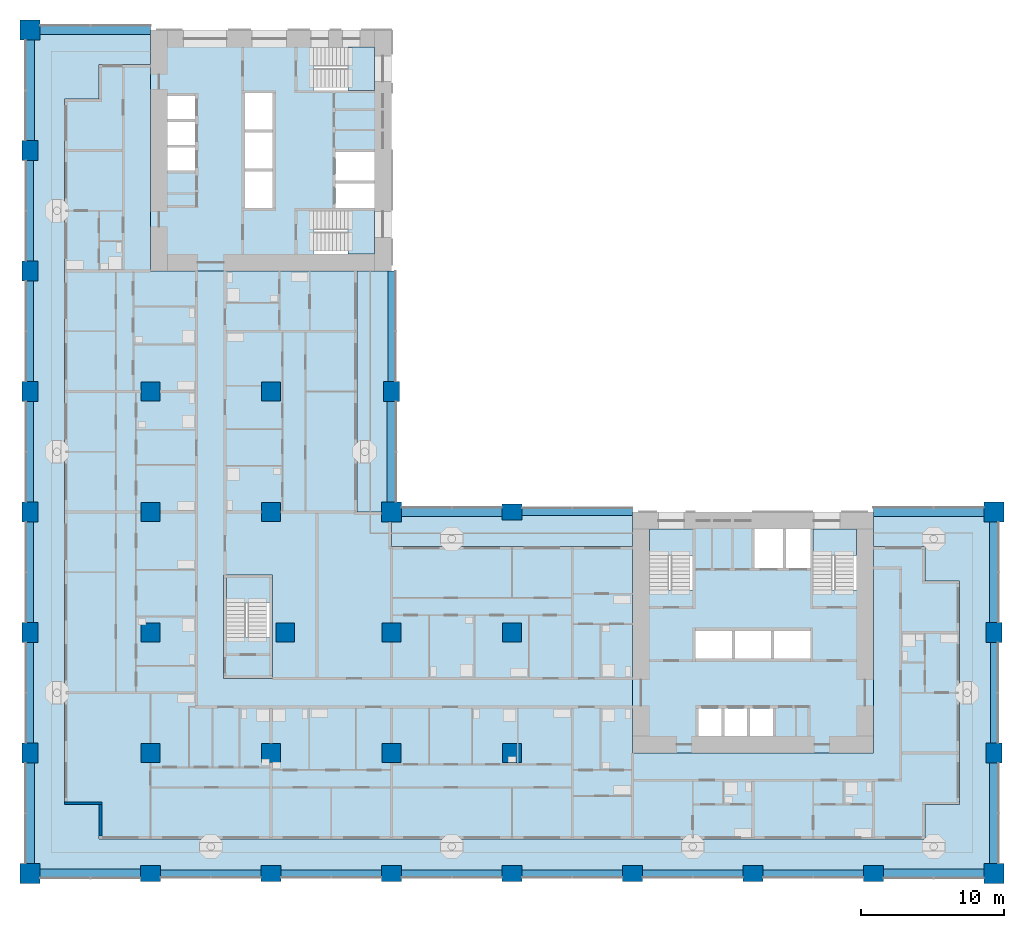
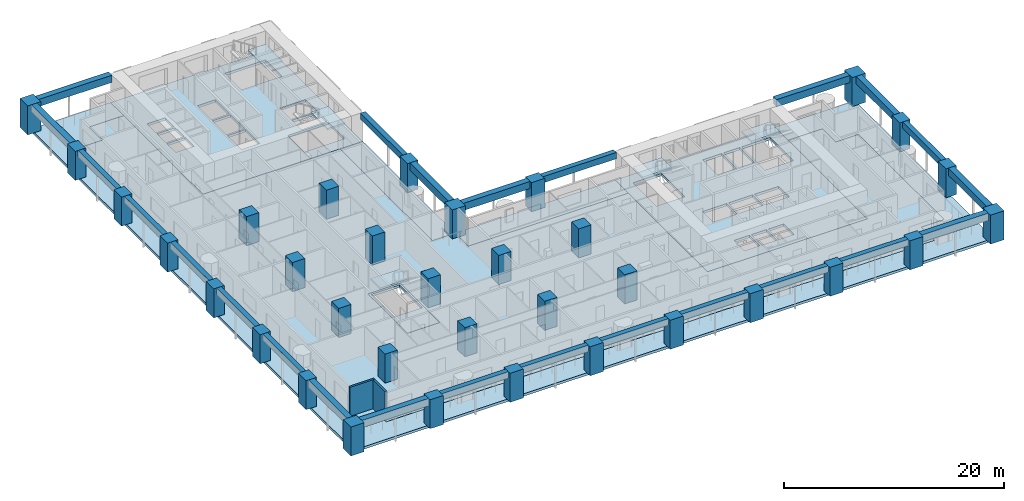
# One storey, part 1 of 22: 34 columns, 24 beams, 12 slabs, 2 walls, 5 elements without a shape of their own.
"""IFC4 building model written with IfcOpenShell, lengths in metres."""

from ifc_helpers import new_model, si_unit, direction, frame, frame_2d, origin, origin_2d, place, context, subcontext, project, spatial, polyline, rectangle, outline, extrude, material, layer, layer_set, material_profile, profile_set, type_object, element, aggregate, save


model = new_model("IFC4")

# Units and contexts
model_context = context("Model", 3, precision=1e-05, world=origin(), true_north=direction((0.0, 1.0)))
body_context = subcontext(model_context, "Body", "Model", "MODEL_VIEW")
ifc_project = project(units=[si_unit("LENGTHUNIT", "METRE"), si_unit("AREAUNIT", "SQUARE_METRE"), si_unit("VOLUMEUNIT", "CUBIC_METRE"), si_unit("PLANEANGLEUNIT", "RADIAN"), si_unit("MASSUNIT", "GRAM", prefix="KILO")], contexts=[model_context])

# Site, building, storey
site_placement = place(None, origin())
site = spatial("IfcSite", under=ifc_project, at=site_placement, CompositionType="ELEMENT")
building_placement = place(site_placement, origin())
building = spatial("IfcBuilding", under=site, at=building_placement, Name="Vermilion Gate Residences", CompositionType="ELEMENT")
storey_placement = place(building_placement, frame((0.0, 0.0, 63.699951171875)))
storey = spatial("IfcBuildingStorey", under=building, at=storey_placement, Name="L15", CompositionType="ELEMENT", Elevation=63.699951171875)

# Columns
ifc_material_1 = material(Name="Concrete C80", Category="concrete")
ifc_material_profile_1 = material_profile(ifc_material_1, rectangle(XDim=1.300048828125, YDim=1.300048828125, at=origin_2d()), Name="RC-1300x1300")
ifc_profile_set_1 = profile_set([ifc_material_profile_1], Name="Concrete C80")
column_type_1 = type_object("IfcColumnType", Name="RC COLUMN 1300 X 1300 C80", PredefinedType="COLUMN", material=ifc_profile_set_1)
for number, where, z_axis, x_axis, name in (
    (1, (8.39990234375, 8.39990234375, 0.0), (0.0, 0.0, 1.0), (1.0, 0.0, 0.0), "Column 2-B L15"),
    (2, (8.39990234375, 16.800048828125, 0.0), (0.0, 0.0, 1.0), (1.0, 0.0, 0.0), "Column 2-C L15"),
    (3, (8.39990234375, 25.199951171875, 0.0), (0.0, 0.0, 1.0), (1.0, 0.0, 0.0), "Column 2-D L15"),
    (4, (8.39990234375, 33.60009765625, 0.0), (0.0, 0.0, 1.0), (1.0, 0.0, 0.0), "Column 2-E L15"),
    (5, (16.800048828125, 8.39990234375, 0.0), (0.0, 0.0, 1.0), (1.0, 0.0, 0.0), "Column 3-B L15"),
    (6, (17.800048828125, 16.800048828125, 0.0), (0.0, 0.0, 1.0), (1.0, 0.0, 0.0), "Column 3-C L15"),
    (7, (16.800048828125, 25.199951171875, 0.0), (0.0, 0.0, 1.0), (1.0, 0.0, 0.0), "Column 3-D L15"),
    (8, (16.800048828125, 33.60009765625, 0.0), (0.0, 0.0, 1.0), (1.0, 0.0, 0.0), "Column 3-E L15"),
    (9, (25.199951171875, 8.39990234375, 0.0), (0.0, 0.0, 1.0), (1.0, 0.0, 0.0), "Column 4-B L15"),
    (10, (25.199951171875, 16.800048828125, 0.0), (0.0, 0.0, 1.0), (1.0, 0.0, 0.0), "Column 4-C L15"),
    (11, (33.60009765625, 8.39990234375, 0.0), (0.0, 0.0, 1.0), (1.0, 0.0, 0.0), "Column 5-B L15"),
    (12, (33.60009765625, 16.800048828125, 0.0), (0.0, 0.0, 1.0), (1.0, 0.0, 0.0), "Column 5-C L15"),
):
    element("IfcColumn", number, at=place(storey_placement, frame(where, z_axis=z_axis, x_axis=x_axis)), inside=storey, type_object=column_type_1, Name=name, PredefinedType="COLUMN", context=body_context, shape_type="SweptSolid", body=[
        extrude(rectangle(XDim=1.300048828125, YDim=1.300048828125, at=origin_2d()), origin(), (0.0, 0.0, 1.0), 3.219970703125),
    ])
ifc_material_2 = material(Name="Concrete C80", Category="concrete")
ifc_material_profile_2 = material_profile(ifc_material_2, rectangle(XDim=1.39990234375, YDim=1.10009765625, at=origin_2d()), Name="RC-1400x1100")
ifc_profile_set_2 = profile_set([ifc_material_profile_2], Name="Concrete C80")
column_type_2 = type_object("IfcColumnType", Name="RC COLUMN 1400 X 1100 C80", PredefinedType="COLUMN", material=ifc_profile_set_2)
for number, where, z_axis, x_axis, name in (
    (13, (0.0, 8.39990234375, 0.0), (0.0, 0.0, 1.0), (0.0, 1.0, 0.0), "Column 1-B L15"),
    (14, (0.0, 16.800048828125, 0.0), (0.0, 0.0, 1.0), (0.0, 1.0, 0.0), "Column 1-C L15"),
    (15, (0.0, 25.199951171875, 0.0), (0.0, 0.0, 1.0), (0.0, 1.0, 0.0), "Column 1-D L15"),
    (16, (0.0, 33.60009765625, 0.0), (0.0, 0.0, 1.0), (0.0, 1.0, 0.0), "Column 1-E L15"),
    (17, (0.0, 42.0, 0.0), (0.0, 0.0, 1.0), (0.0, 1.0, 0.0), "Column 1-F L15"),
    (18, (0.0, 50.39990234375, 0.0), (0.0, 0.0, 1.0), (0.0, 1.0, 0.0), "Column 1-G L15"),
    (19, (8.39990234375, 0.0, 0.0), (0.0, 0.0, 1.0), (1.0, 0.0, 0.0), "Column 2-A L15"),
    (20, (16.800048828125, 0.0, 0.0), (0.0, 0.0, 1.0), (1.0, 0.0, 0.0), "Column 3-A L15"),
    (21, (25.199951171875, 0.0, 0.0), (0.0, 0.0, 1.0), (1.0, 0.0, 0.0), "Column 4-A L15"),
    (22, (25.199951171875, 33.60009765625, 0.0), (0.0, 0.0, 1.0), (0.0, 1.0, 0.0), "Column 4-E L15"),
    (23, (33.60009765625, 0.0, 0.0), (0.0, 0.0, 1.0), (1.0, 0.0, 0.0), "Column 5-A L15"),
    (24, (33.60009765625, 25.199951171875, 0.0), (0.0, 0.0, 1.0), (1.0, 0.0, 0.0), "Column 5-D L15"),
    (25, (42.0, 0.0, 0.0), (0.0, 0.0, 1.0), (1.0, 0.0, 0.0), "Column 6-A L15"),
    (26, (50.39990234375, 0.0, 0.0), (0.0, 0.0, 1.0), (1.0, 0.0, 0.0), "Column 7-A L15"),
    (27, (58.800048828125, 0.0, 0.0), (0.0, 0.0, 1.0), (1.0, 0.0, 0.0), "Column 8-A L15"),
    (28, (67.199951171875, 8.39990234375, 0.0), (0.0, 0.0, 1.0), (0.0, 1.0, 0.0), "Column 9-B L15"),
    (29, (67.199951171875, 16.800048828125, 0.0), (0.0, 0.0, 1.0), (0.0, 1.0, 0.0), "Column 9-C L15"),
):
    element("IfcColumn", number, at=place(storey_placement, frame(where, z_axis=z_axis, x_axis=x_axis)), inside=storey, type_object=column_type_2, Name=name, PredefinedType="COLUMN", context=body_context, shape_type="SweptSolid", body=[
        extrude(rectangle(XDim=1.39990234375, YDim=1.10009765625, at=origin_2d()), origin(), (0.0, 0.0, 1.0), 3.219970703125),
    ])
ifc_material_3 = material(Name="Concrete C80", Category="concrete")
ifc_material_profile_3 = material_profile(ifc_material_3, rectangle(XDim=1.39990234375, YDim=1.39990234375, at=origin_2d()), Name="RC-1400x1400")
ifc_profile_set_3 = profile_set([ifc_material_profile_3], Name="Concrete C80")
column_type_3 = type_object("IfcColumnType", Name="RC COLUMN 1400 X 1400 C80", PredefinedType="COLUMN", material=ifc_profile_set_3)
for number, where, z_axis, x_axis, name in (
    (30, (0.0, 0.0, 0.0), (0.0, 0.0, 1.0), (1.0, 0.0, 0.0), "Column 1-A L15"),
    (31, (0.0, 58.800048828125, 0.0), (0.0, 0.0, 1.0), (1.0, 0.0, 0.0), "Column 1-H L15"),
    (32, (25.199951171875, 25.199951171875, 0.0), (0.0, 0.0, 1.0), (1.0, 0.0, 0.0), "Column 4-D L15"),
    (33, (67.199951171875, 0.0, 0.0), (0.0, 0.0, 1.0), (1.0, 0.0, 0.0), "Column 9-A L15"),
    (34, (67.199951171875, 25.199951171875, 0.0), (0.0, 0.0, 1.0), (1.0, 0.0, 0.0), "Column 9-D L15"),
):
    element("IfcColumn", number, at=place(storey_placement, frame(where, z_axis=z_axis, x_axis=x_axis)), inside=storey, type_object=column_type_3, Name=name, PredefinedType="COLUMN", context=body_context, shape_type="SweptSolid", body=[
        extrude(rectangle(XDim=1.39990234375, YDim=1.39990234375, at=origin_2d()), origin(), (0.0, 0.0, 1.0), 3.219970703125),
    ])

# Beams
ifc_material_4 = material(Name="Concrete C60 red-oxide pigmented", Category="concrete")
ifc_material_profile_4 = material_profile(ifc_material_4, rectangle(XDim=0.60009765625, YDim=0.800048828125, at=origin_2d()), Name="RC-600x800")
ifc_profile_set_4 = profile_set([ifc_material_profile_4], Name="Concrete C60 red-oxide pigmented")
beam_type_1 = type_object("IfcBeamType", Name="RC CORNER EDGE BEAM 600 X 800 C60", PredefinedType="BEAM", material=ifc_profile_set_4)
for number, where, z_axis, x_axis, name in (
    (35, (0.699951171875, 0.0, 2.820068359375), (1.0, 0.0, 0.0), (0.0, 1.0, 0.0), "Corner edge beam L15 1"),
    (36, (0.0, 0.699951171875, 2.820068359375), (0.0, 1.0, 0.0), (-1.0, 0.0, 0.0), "Corner edge beam L15 2"),
):
    element("IfcBeam", number, at=place(storey_placement, frame(where, z_axis=z_axis, x_axis=x_axis)), inside=storey, type_object=beam_type_1, Name=name, PredefinedType="BEAM", context=body_context, shape_type="SweptSolid", body=[
        extrude(rectangle(XDim=0.60009765625, YDim=0.800048828125, at=origin_2d()), origin(), (0.0, 0.0, 1.0), 7.0),
    ])
beam_1_placement = place(storey_placement, frame((0.699951171875, 58.800048828125, 2.820068359375), z_axis=(1.0, 0.0, 0.0), x_axis=(0.0, 1.0, 0.0)))
element("IfcBeam", 37, at=beam_1_placement, inside=storey, type_object=beam_type_1, Name="Corner edge beam L15 8", PredefinedType="BEAM", context=body_context, shape_type="SweptSolid", body=[
    extrude(rectangle(XDim=0.60009765625, YDim=0.800048828125, at=origin_2d()), origin(), (0.0, 0.0, 1.0), 7.699951171875),
])
for number, where, z_axis, x_axis, name in (
    (38, (0.0, 51.10009765625, 2.820068359375), (0.0, 1.0, 0.0), (-1.0, 0.0, 0.0), "Corner edge beam L15 9"),
    (39, (25.199951171875, 25.89990234375, 2.820068359375), (0.0, 1.0, 0.0), (-1.0, 0.0, 0.0), "Corner edge beam L15 12"),
    (40, (25.89990234375, 25.199951171875, 2.820068359375), (1.0, 0.0, 0.0), (0.0, 1.0, 0.0), "Corner edge beam L15 15"),
    (41, (59.5, 0.0, 2.820068359375), (1.0, 0.0, 0.0), (0.0, 1.0, 0.0), "Corner edge beam L15 20"),
    (42, (67.199951171875, 0.699951171875, 2.820068359375), (0.0, 1.0, 0.0), (-1.0, 0.0, 0.0), "Corner edge beam L15 21"),
    (43, (67.199951171875, 17.5, 2.820068359375), (0.0, 1.0, 0.0), (-1.0, 0.0, 0.0), "Corner edge beam L15 23"),
):
    element("IfcBeam", number, at=place(storey_placement, frame(where, z_axis=z_axis, x_axis=x_axis)), inside=storey, type_object=beam_type_1, Name=name, PredefinedType="BEAM", context=body_context, shape_type="SweptSolid", body=[
        extrude(rectangle(XDim=0.60009765625, YDim=0.800048828125, at=origin_2d()), origin(), (0.0, 0.0, 1.0), 7.0),
    ])
beam_2_placement = place(storey_placement, frame((58.800048828125, 25.199951171875, 2.820068359375), z_axis=(1.0, 0.0, 0.0), x_axis=(0.0, 1.0, 0.0)))
element("IfcBeam", 44, at=beam_2_placement, inside=storey, type_object=beam_type_1, Name="Corner edge beam L15 24", PredefinedType="BEAM", context=body_context, shape_type="SweptSolid", body=[
    extrude(rectangle(XDim=0.60009765625, YDim=0.800048828125, at=origin_2d()), origin(), (0.0, 0.0, 1.0), 7.699951171875),
])
ifc_material_5 = material(Name="Concrete C60 red-oxide pigmented", Category="concrete")
ifc_material_profile_5 = material_profile(ifc_material_5, rectangle(XDim=0.5, YDim=0.699951171875, at=origin_2d()), Name="RC-500x700")
ifc_profile_set_5 = profile_set([ifc_material_profile_5], Name="Concrete C60 red-oxide pigmented")
beam_type_2 = type_object("IfcBeamType", Name="RC EDGE BEAM 500 X 700 C60", PredefinedType="BEAM", material=ifc_profile_set_5)
for number, where, z_axis, x_axis, name in (
    (45, (0.0, 9.10009765625, 2.8701171875), (0.0, 1.0, 0.0), (-1.0, 0.0, 0.0), "Edge beam L15 3"),
    (46, (0.0, 17.5, 2.8701171875), (0.0, 1.0, 0.0), (-1.0, 0.0, 0.0), "Edge beam L15 4"),
    (47, (0.0, 25.89990234375, 2.8701171875), (0.0, 1.0, 0.0), (-1.0, 0.0, 0.0), "Edge beam L15 5"),
    (48, (0.0, 34.300048828125, 2.8701171875), (0.0, 1.0, 0.0), (-1.0, 0.0, 0.0), "Edge beam L15 6"),
    (49, (0.0, 42.699951171875, 2.8701171875), (0.0, 1.0, 0.0), (-1.0, 0.0, 0.0), "Edge beam L15 7"),
    (50, (9.10009765625, 0.0, 2.8701171875), (1.0, 0.0, 0.0), (0.0, 1.0, 0.0), "Edge beam L15 10"),
    (51, (17.5, 0.0, 2.8701171875), (1.0, 0.0, 0.0), (0.0, 1.0, 0.0), "Edge beam L15 11"),
):
    element("IfcBeam", number, at=place(storey_placement, frame(where, z_axis=z_axis, x_axis=x_axis)), inside=storey, type_object=beam_type_2, Name=name, PredefinedType="BEAM", context=body_context, shape_type="SweptSolid", body=[
        extrude(rectangle(XDim=0.5, YDim=0.699951171875, at=origin_2d()), origin(), (0.0, 0.0, 1.0), 7.0),
    ])
beam_3_placement = place(storey_placement, frame((25.199951171875, 34.300048828125, 2.8701171875), z_axis=(0.0, 1.0, 0.0), x_axis=(-1.0, 0.0, 0.0)))
element("IfcBeam", 52, at=beam_3_placement, inside=storey, type_object=beam_type_2, Name="Edge beam L15 13", PredefinedType="BEAM", context=body_context, shape_type="SweptSolid", body=[
    extrude(rectangle(XDim=0.5, YDim=0.699951171875, at=origin_2d()), origin(), (0.0, 0.0, 1.0), 7.699951171875),
])
for number, where, z_axis, x_axis, name in (
    (53, (25.89990234375, 0.0, 2.8701171875), (1.0, 0.0, 0.0), (0.0, 1.0, 0.0), "Edge beam L15 14"),
    (54, (34.300048828125, 0.0, 2.8701171875), (1.0, 0.0, 0.0), (0.0, 1.0, 0.0), "Edge beam L15 16"),
):
    element("IfcBeam", number, at=place(storey_placement, frame(where, z_axis=z_axis, x_axis=x_axis)), inside=storey, type_object=beam_type_2, Name=name, PredefinedType="BEAM", context=body_context, shape_type="SweptSolid", body=[
        extrude(rectangle(XDim=0.5, YDim=0.699951171875, at=origin_2d()), origin(), (0.0, 0.0, 1.0), 7.0),
    ])
beam_4_placement = place(storey_placement, frame((34.300048828125, 25.199951171875, 2.8701171875), z_axis=(1.0, 0.0, 0.0), x_axis=(0.0, 1.0, 0.0)))
element("IfcBeam", 55, at=beam_4_placement, inside=storey, type_object=beam_type_2, Name="Edge beam L15 17", PredefinedType="BEAM", context=body_context, shape_type="SweptSolid", body=[
    extrude(rectangle(XDim=0.5, YDim=0.699951171875, at=origin_2d()), origin(), (0.0, 0.0, 1.0), 7.699951171875),
])
for number, where, z_axis, x_axis, name in (
    (56, (42.699951171875, 0.0, 2.8701171875), (1.0, 0.0, 0.0), (0.0, 1.0, 0.0), "Edge beam L15 18"),
    (57, (51.10009765625, 0.0, 2.8701171875), (1.0, 0.0, 0.0), (0.0, 1.0, 0.0), "Edge beam L15 19"),
    (58, (67.199951171875, 9.10009765625, 2.8701171875), (0.0, 1.0, 0.0), (-1.0, 0.0, 0.0), "Edge beam L15 22"),
):
    element("IfcBeam", number, at=place(storey_placement, frame(where, z_axis=z_axis, x_axis=x_axis)), inside=storey, type_object=beam_type_2, Name=name, PredefinedType="BEAM", context=body_context, shape_type="SweptSolid", body=[
        extrude(rectangle(XDim=0.5, YDim=0.699951171875, at=origin_2d()), origin(), (0.0, 0.0, 1.0), 7.0),
    ])

# Slabs
ifc_material_6 = material(Name="Concrete C50", Category="concrete")
ifc_layer_1 = layer(ifc_material_6, 0.280029296875)
ifc_layer_set_1 = layer_set([ifc_layer_1], Name="RC CORE FLOOR SLAB 280 C50")
slab_type_1 = type_object("IfcSlabType", Name="RC CORE FLOOR SLAB 280 C50", PredefinedType="FLOOR", material=ifc_layer_set_1)
slab_1_placement = place(storey_placement, frame((0.0, 0.0, -0.280029296875)))
element("IfcSlab", 59, at=slab_1_placement, inside=storey, type_object=slab_type_1, Name="Core floor slab A15", PredefinedType="FLOOR", context=body_context, shape_type="SweptSolid", body=[
    extrude(outline(polyline([(42.0, 8.39990234375), (58.800048828125, 8.39990234375), (58.800048828125, 25.199951171875), (42.0, 25.199951171875), (42.0, 8.39990234375)]), holes=[polyline([(46.60009765625, 11.5), (48.199951171875, 11.5), (48.199951171875, 9.60009765625), (46.60009765625, 9.60009765625), (46.60009765625, 11.5)]), polyline([(48.39990234375, 11.5), (50.0, 11.5), (50.0, 9.60009765625), (48.39990234375, 9.60009765625), (48.39990234375, 11.5)]), polyline([(50.199951171875, 11.5), (51.800048828125, 11.5), (51.800048828125, 9.60009765625), (50.199951171875, 9.60009765625), (50.199951171875, 11.5)]), polyline([(48.933349609375, 16.89990234375), (48.933349609375, 15.0), (46.39990234375, 15.0), (46.39990234375, 16.89990234375), (48.933349609375, 16.89990234375)]), polyline([(51.666748046875, 16.89990234375), (51.666748046875, 15.0), (49.13330078125, 15.0), (49.13330078125, 16.89990234375), (51.666748046875, 16.89990234375)]), polyline([(51.86669921875, 16.89990234375), (54.39990234375, 16.89990234375), (54.39990234375, 15.0), (51.86669921875, 15.0), (51.86669921875, 16.89990234375)]), polyline([(43.199951171875, 24.0), (46.199951171875, 24.0), (46.199951171875, 19.75), (43.199951171875, 19.75), (43.199951171875, 24.0)]), polyline([(54.60009765625, 24.0), (57.60009765625, 24.0), (57.60009765625, 19.75), (54.60009765625, 19.75), (54.60009765625, 24.0)]), polyline([(52.5, 24.0), (52.5, 21.300048828125), (50.5, 21.300048828125), (50.5, 24.0), (52.5, 24.0)]), polyline([(54.39990234375, 24.0), (54.39990234375, 21.300048828125), (52.699951171875, 21.300048828125), (52.699951171875, 24.0), (54.39990234375, 24.0)])]), origin(), (0.0, 0.0, 1.0), 0.280029296875),
])
slab_2_placement = place(storey_placement, frame((0.0, 0.0, -0.280029296875)))
element("IfcSlab", 60, at=slab_2_placement, inside=storey, type_object=slab_type_1, Name="Core floor slab B15", PredefinedType="FLOOR", context=body_context, shape_type="SweptSolid", body=[
    extrude(outline(polyline([(8.39990234375, 42.0), (25.199951171875, 42.0), (25.199951171875, 58.800048828125), (8.39990234375, 58.800048828125), (8.39990234375, 42.0)]), holes=[polyline([(19.75, 46.199951171875), (24.0, 46.199951171875), (24.0, 43.199951171875), (19.75, 43.199951171875), (19.75, 46.199951171875)]), polyline([(21.300048828125, 48.10009765625), (24.0, 48.10009765625), (24.0, 46.39990234375), (21.300048828125, 46.39990234375), (21.300048828125, 48.10009765625)]), polyline([(15.0, 48.933349609375), (16.89990234375, 48.933349609375), (16.89990234375, 46.39990234375), (15.0, 46.39990234375), (15.0, 48.933349609375)]), polyline([(24.0, 50.300048828125), (24.0, 48.300048828125), (21.300048828125, 48.300048828125), (21.300048828125, 50.300048828125), (24.0, 50.300048828125)]), polyline([(11.5, 50.60009765625), (11.5, 49.0), (9.60009765625, 49.0), (9.60009765625, 50.60009765625), (11.5, 50.60009765625)]), polyline([(15.0, 51.666748046875), (16.89990234375, 51.666748046875), (16.89990234375, 49.13330078125), (15.0, 49.13330078125), (15.0, 51.666748046875)]), polyline([(9.60009765625, 52.39990234375), (11.5, 52.39990234375), (11.5, 50.800048828125), (9.60009765625, 50.800048828125), (9.60009765625, 52.39990234375)]), polyline([(15.0, 54.39990234375), (16.89990234375, 54.39990234375), (16.89990234375, 51.86669921875), (15.0, 51.86669921875), (15.0, 54.39990234375)]), polyline([(11.5, 54.199951171875), (11.5, 52.60009765625), (9.60009765625, 52.60009765625), (9.60009765625, 54.199951171875), (11.5, 54.199951171875)]), polyline([(24.0, 57.60009765625), (24.0, 54.60009765625), (19.75, 54.60009765625), (19.75, 57.60009765625), (24.0, 57.60009765625)])]), origin(), (0.0, 0.0, 1.0), 0.280029296875),
])
slab_3_placement = place(storey_placement, frame((0.0, 0.0, -0.280029296875)))
element("IfcSlab", 61, at=slab_3_placement, inside=storey, type_object=slab_type_1, Name="Apex stair floor slab 15", PredefinedType="FLOOR", context=body_context, shape_type="SweptSolid", body=[
    extrude(outline(polyline([(13.5, 13.60009765625), (16.89990234375, 13.60009765625), (16.89990234375, 20.800048828125), (13.5, 20.800048828125), (13.5, 13.60009765625)]), holes=[polyline([(16.699951171875, 20.60009765625), (16.699951171875, 16.449951171875), (13.699951171875, 16.449951171875), (13.699951171875, 20.60009765625), (16.699951171875, 20.60009765625)])]), origin(), (0.0, 0.0, 1.0), 0.280029296875),
])
ifc_material_7 = material(Name="Concrete C50", Category="concrete")
ifc_layer_2 = layer(ifc_material_7, 0.280029296875)
ifc_layer_set_2 = layer_set([ifc_layer_2], Name="RC FLAT PLATE 280 C50")
slab_type_2 = type_object("IfcSlabType", Name="RC FLAT PLATE 280 C50", PredefinedType="FLOOR", material=ifc_layer_set_2)
slab_4_placement = place(storey_placement, frame((0.0, 0.0, -0.280029296875)))
element("IfcSlab", 62, at=slab_4_placement, inside=storey, type_object=slab_type_2, Name="Floor slab L15", PredefinedType="FLOOR", context=body_context, shape_type="SweptSolid", body=[
    extrude(outline(polyline([(22.800048828125, 25.199951171875), (22.800048828125, 42.0), (8.39990234375, 42.0), (8.39990234375, 56.39990234375), (4.800048828125, 56.39990234375), (4.800048828125, 54.0), (2.39990234375, 54.0), (2.39990234375, 4.800048828125), (4.800048828125, 4.800048828125), (4.800048828125, 2.39990234375), (62.39990234375, 2.39990234375), (62.39990234375, 4.800048828125), (64.800048828125, 4.800048828125), (64.800048828125, 20.39990234375), (62.39990234375, 20.39990234375), (62.39990234375, 22.800048828125), (58.800048828125, 22.800048828125), (58.800048828125, 8.39990234375), (42.0, 8.39990234375), (42.0, 22.800048828125), (25.199951171875, 22.800048828125), (25.199951171875, 25.199951171875), (22.800048828125, 25.199951171875)]), holes=[polyline([(13.5, 13.60009765625), (13.5, 20.800048828125), (16.89990234375, 20.800048828125), (16.89990234375, 13.60009765625), (13.5, 13.60009765625)])]), origin(), (0.0, 0.0, 1.0), 0.280029296875),
])
ifc_material_8 = material(Name="Concrete C50 red-oxide pigmented", Category="concrete")
ifc_layer_3 = layer(ifc_material_8, 0.280029296875)
ifc_layer_set_3 = layer_set([ifc_layer_3], Name="RC LOGGIA SLAB 280 C50")
slab_type_3 = type_object("IfcSlabType", Name="RC LOGGIA SLAB 280 C50", PredefinedType="FLOOR", material=ifc_layer_set_3)
slab_5_placement = place(storey_placement, frame((0.0, 0.0, -0.280029296875)))
element("IfcSlab", 63, at=slab_5_placement, inside=storey, type_object=slab_type_3, Name="Loggia slab L15", PredefinedType="FLOOR", context=body_context, shape_type="SweptSolid", body=[
    extrude(outline(polyline([(0.0, 58.800048828125), (0.0, 0.0), (67.199951171875, 0.0), (67.199951171875, 25.199951171875), (58.800048828125, 25.199951171875), (58.800048828125, 22.800048828125), (62.39990234375, 22.800048828125), (62.39990234375, 20.39990234375), (64.800048828125, 20.39990234375), (64.800048828125, 4.800048828125), (62.39990234375, 4.800048828125), (62.39990234375, 2.39990234375), (4.800048828125, 2.39990234375), (4.800048828125, 4.800048828125), (2.39990234375, 4.800048828125), (2.39990234375, 54.0), (4.800048828125, 54.0), (4.800048828125, 56.39990234375), (8.39990234375, 56.39990234375), (8.39990234375, 58.800048828125), (0.0, 58.800048828125)])), origin(), (0.0, 0.0, 1.0), 0.280029296875),
])
slab_6_placement = place(storey_placement, frame((0.0, 0.0, -0.280029296875)))
element("IfcSlab", 64, at=slab_6_placement, inside=storey, type_object=slab_type_3, Name="Loggia slab L15", PredefinedType="FLOOR", context=body_context, shape_type="SweptSolid", body=[
    extrude(outline(polyline([(25.199951171875, 22.800048828125), (42.0, 22.800048828125), (42.0, 25.199951171875), (25.199951171875, 25.199951171875), (25.199951171875, 22.800048828125)])), origin(), (0.0, 0.0, 1.0), 0.280029296875),
])
slab_7_placement = place(storey_placement, frame((0.0, 0.0, -0.280029296875)))
element("IfcSlab", 65, at=slab_7_placement, inside=storey, type_object=slab_type_3, Name="Loggia slab L15", PredefinedType="FLOOR", context=body_context, shape_type="SweptSolid", body=[
    extrude(outline(polyline([(22.800048828125, 42.0), (22.800048828125, 25.199951171875), (25.199951171875, 25.199951171875), (25.199951171875, 42.0), (22.800048828125, 42.0)])), origin(), (0.0, 0.0, 1.0), 0.280029296875),
])

# Stair, slab
ifc_material_9 = material(Name="Concrete C50", Category="concrete")
stair_type = type_object("IfcStairType", Name="SPECIAL ESCAPE STAIR 1300", PredefinedType="HALF_TURN_STAIR", material=ifc_material_9)
stair_1_placement = place(storey_placement, origin())
stair_1 = element("IfcStair", 66, at=stair_1_placement, inside=storey, type_object=stair_type, Name="Special escape stair STA1-15", PredefinedType="HALF_TURN_STAIR")
ifc_material_10 = material(Name="Concrete C50", Category="concrete")
ifc_layer_4 = layer(ifc_material_10, 0.199951171875)
ifc_layer_set_4 = layer_set([ifc_layer_4], Name="STAIR LANDING 200 C50")
slab_type_4 = type_object("IfcSlabType", Name="STAIR LANDING 200 C50", PredefinedType="LANDING", material=ifc_layer_set_4)
slab_8_placement = place(storey_placement, frame((0.0, 0.0, 1.550048828125)))
slab_8 = element("IfcSlab", 67, at=slab_8_placement, type_object=slab_type_4, Name="STA1-15 landing 1", PredefinedType="LANDING", context=body_context, shape_type="SweptSolid", body=[
    extrude(outline(polyline([(46.219970703125, 22.179931640625), (46.219970703125, 24.02001953125), (43.179931640625, 24.02001953125), (43.179931640625, 22.179931640625), (46.219970703125, 22.179931640625)])), origin(), (0.0, 0.0, 1.0), 0.199951171875),
])
aggregate(stair_1, [slab_8])

stair_2_placement = place(storey_placement, origin())
stair_2 = element("IfcStair", 68, at=stair_2_placement, inside=storey, type_object=stair_type, Name="Special escape stair STA2-15", PredefinedType="HALF_TURN_STAIR")
slab_9_placement = place(storey_placement, frame((0.0, 0.0, 1.550048828125)))
slab_9 = element("IfcSlab", 69, at=slab_9_placement, type_object=slab_type_4, Name="STA2-15 landing 1", PredefinedType="LANDING", context=body_context, shape_type="SweptSolid", body=[
    extrude(outline(polyline([(57.6201171875, 22.179931640625), (57.6201171875, 24.02001953125), (54.580078125, 24.02001953125), (54.580078125, 22.179931640625), (57.6201171875, 22.179931640625)])), origin(), (0.0, 0.0, 1.0), 0.199951171875),
])
aggregate(stair_2, [slab_9])

stair_3_placement = place(storey_placement, origin())
stair_3 = element("IfcStair", 70, at=stair_3_placement, inside=storey, type_object=stair_type, Name="Special escape stair STB1-15", PredefinedType="HALF_TURN_STAIR")
slab_10_placement = place(storey_placement, frame((0.0, 0.0, 1.550048828125)))
slab_10 = element("IfcSlab", 71, at=slab_10_placement, type_object=slab_type_4, Name="STB1-15 landing 1", PredefinedType="LANDING", context=body_context, shape_type="SweptSolid", body=[
    extrude(outline(polyline([(24.02001953125, 54.580078125), (24.02001953125, 57.6201171875), (22.179931640625, 57.6201171875), (22.179931640625, 54.580078125), (24.02001953125, 54.580078125)])), origin(), (0.0, 0.0, 1.0), 0.199951171875),
])
aggregate(stair_3, [slab_10])

stair_4_placement = place(storey_placement, origin())
stair_4 = element("IfcStair", 72, at=stair_4_placement, inside=storey, type_object=stair_type, Name="Special escape stair STB2-15", PredefinedType="HALF_TURN_STAIR")
slab_11_placement = place(storey_placement, frame((0.0, 0.0, 1.550048828125)))
slab_11 = element("IfcSlab", 73, at=slab_11_placement, type_object=slab_type_4, Name="STB2-15 landing 1", PredefinedType="LANDING", context=body_context, shape_type="SweptSolid", body=[
    extrude(outline(polyline([(24.02001953125, 43.179931640625), (24.02001953125, 46.219970703125), (22.179931640625, 46.219970703125), (22.179931640625, 43.179931640625), (24.02001953125, 43.179931640625)])), origin(), (0.0, 0.0, 1.0), 0.199951171875),
])
aggregate(stair_4, [slab_11])

stair_5_placement = place(storey_placement, origin())
stair_5 = element("IfcStair", 74, at=stair_5_placement, inside=storey, type_object=stair_type, Name="Special escape stair STC1-15", PredefinedType="HALF_TURN_STAIR")
slab_12_placement = place(storey_placement, frame((0.0, 0.0, 1.550048828125)))
slab_12 = element("IfcSlab", 75, at=slab_12_placement, type_object=slab_type_4, Name="STC1-15 landing 1", PredefinedType="LANDING", context=body_context, shape_type="SweptSolid", body=[
    extrude(outline(polyline([(16.719970703125, 18.8798828125), (16.719970703125, 20.6201171875), (13.679931640625, 20.6201171875), (13.679931640625, 18.8798828125), (16.719970703125, 18.8798828125)])), origin(), (0.0, 0.0, 1.0), 0.199951171875),
])
aggregate(stair_5, [slab_12])

# Walls
ifc_material_11 = material(Name="Insulated steel stud wall with terracotta rainscreen", Category="masonry")
ifc_layer_5 = layer(ifc_material_11, 0.199951171875)
ifc_layer_set_5 = layer_set([ifc_layer_5], Name="EXTERNAL WALL 200 TERRACOTTA RAINSCREEN")
wall_type = type_object("IfcWallType", Name="EXTERNAL WALL 200 TERRACOTTA RAINSCREEN", PredefinedType="SOLIDWALL", material=ifc_layer_set_5)
wall_1_placement = place(storey_placement, frame((2.39990234375, 4.89990234375, 0.0), z_axis=(0.0, 0.0, 1.0), x_axis=(1.0, 0.0, 0.0)))
element("IfcWall", 76, at=wall_1_placement, inside=storey, type_object=wall_type, Name="External wall", PredefinedType="SOLIDWALL", context=body_context, shape_type="SweptSolid", body=[
    extrude(rectangle(XDim=2.60009765625, YDim=0.199951171875, at=frame_2d((1.300048828125, 0.0))), origin(), (0.0, 0.0, 1.0), 3.219970703125),
])
wall_2_placement = place(storey_placement, frame((4.89990234375, 4.800048828125, 0.0), z_axis=(0.0, 0.0, 1.0), x_axis=(0.0, -1.0, 0.0)))
element("IfcWall", 77, at=wall_2_placement, inside=storey, type_object=wall_type, Name="External wall", PredefinedType="SOLIDWALL", context=body_context, shape_type="SweptSolid", body=[
    extrude(rectangle(XDim=2.199951171875, YDim=0.199951171875, at=frame_2d((1.10009765625, 0.0))), origin(), (0.0, 0.0, 1.0), 3.219970703125),
])

save(model, "model.ifc")
